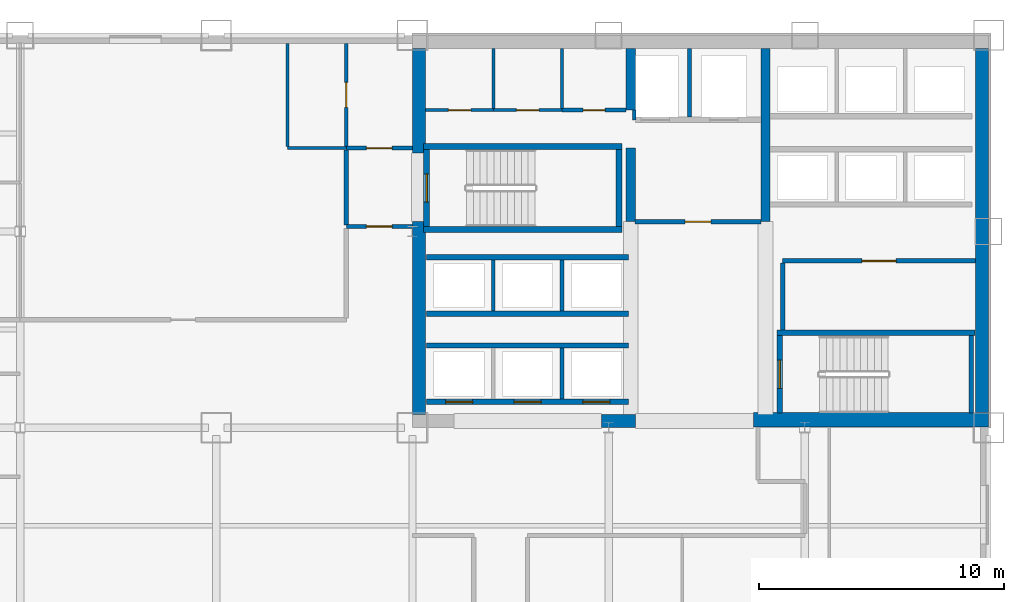
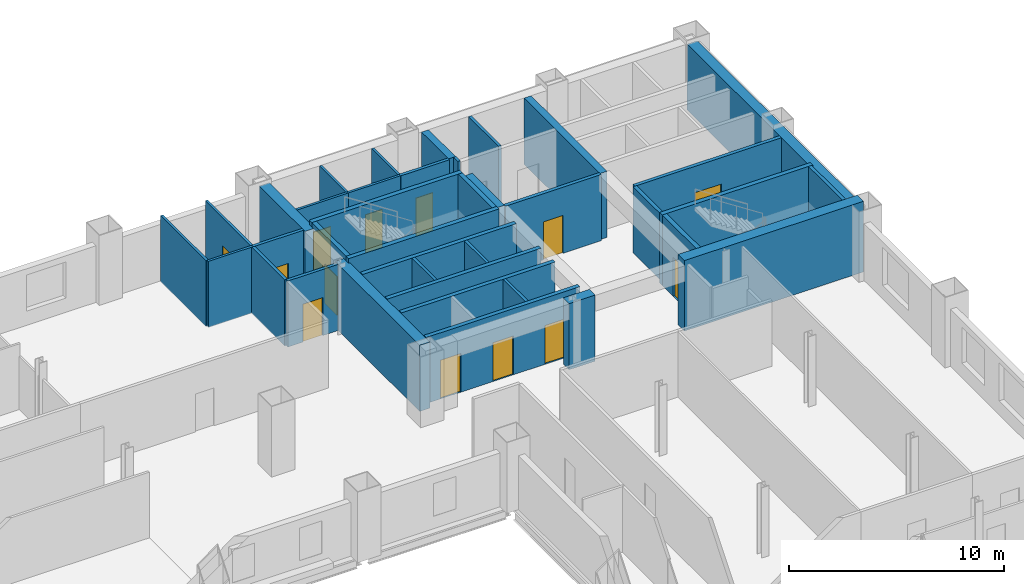
# One storey, part 6 of 9: 38 walls, 13 doors, 13 openings.
"""IFC4 building model written with IfcOpenShell, lengths in metres."""

from ifc_helpers import new_model, si_unit, direction, frame, frame_2d, origin, place, context, subcontext, project, spatial, rectangle, extrude, material, layer, layer_set, type_object, element, fill, save


model = new_model("IFC4")

# Units and contexts
model_context = context("Model", 3, precision=1e-05, world=origin(), true_north=direction((0.0, 1.0)))
body_context = subcontext(model_context, "Body", "Model", "MODEL_VIEW")
ifc_project = project(units=[si_unit("LENGTHUNIT", "METRE"), si_unit("AREAUNIT", "SQUARE_METRE"), si_unit("VOLUMEUNIT", "CUBIC_METRE"), si_unit("PLANEANGLEUNIT", "RADIAN"), si_unit("MASSUNIT", "GRAM", prefix="KILO")], contexts=[model_context])

# Site, building, storey
site_placement = place(None, origin())
site = spatial("IfcSite", under=ifc_project, at=site_placement, CompositionType="ELEMENT")
building_placement = place(site_placement, origin())
building = spatial("IfcBuilding", under=site, at=building_placement, Name="Qianrong Seaharbour Tower", CompositionType="ELEMENT")
storey_placement = place(building_placement, frame((0.0, 0.0, 72.199951171875)))
storey = spatial("IfcBuildingStorey", under=building, at=storey_placement, Name="L17", CompositionType="ELEMENT", Elevation=72.199951171875)

# Walls
ifc_material_1 = material(Name="Concrete C70/85", Category="concrete")
ifc_layer_1 = layer(ifc_material_1, 0.5400390625)
ifc_layer_set_1 = layer_set([ifc_layer_1], Name="Concrete C70/85")
wall_type_1 = type_object("IfcWallType", Name="WALL-CORE-540", PredefinedType="SHEAR", material=ifc_layer_set_1)
wall_1_placement = place(storey_placement, frame((63.72998046875, 36.320068359375, 0.0), z_axis=(0.0, 0.0, 1.0), x_axis=(0.0, 1.0, 0.0)))
element("IfcWall", 1, at=wall_1_placement, inside=storey, type_object=wall_type_1, Name="L17 East Core Shear Wall", PredefinedType="SHEAR", context=body_context, shape_type="SweptSolid", body=[
    extrude(rectangle(XDim=15.139892578125, YDim=0.5400390625, at=frame_2d((7.56982421875, 0.0))), origin(), (0.0, 0.0, 1.0), 3.75),
])
wall_2_placement = place(storey_placement, frame((40.77001953125, 36.5400390625, 0.0), z_axis=(0.0, 0.0, 1.0), x_axis=(0.0, 1.0, 0.0)))
element("IfcWall", 2, at=wall_2_placement, inside=storey, type_object=wall_type_1, Name="L17 West Core Shear Wall South", PredefinedType="SHEAR", context=body_context, shape_type="SweptSolid", body=[
    extrude(rectangle(XDim=7.85986328125, YDim=0.5400390625, at=frame_2d((3.929931640625, 0.0))), origin(), (0.0, 0.0, 1.0), 3.75),
])
wall_3_placement = place(storey_placement, frame((40.77001953125, 47.199951171875, 0.0), z_axis=(0.0, 0.0, 1.0), x_axis=(0.0, 1.0, 0.0)))
element("IfcWall", 3, at=wall_3_placement, inside=storey, type_object=wall_type_1, Name="L17 West Core Shear Wall North", PredefinedType="SHEAR", context=body_context, shape_type="SweptSolid", body=[
    extrude(rectangle(XDim=4.260009765625, YDim=0.5400390625, at=frame_2d((2.1298828125, 0.0))), origin(), (0.0, 0.0, 1.0), 3.75),
])
wall_4_placement = place(storey_placement, frame((48.199951171875, 36.27001953125, 0.0), z_axis=(0.0, 0.0, 1.0), x_axis=(1.0, 0.0, 0.0)))
element("IfcWall", 4, at=wall_4_placement, inside=storey, type_object=wall_type_1, Name="L17 South Core Shear Wall S2", PredefinedType="SHEAR", context=body_context, shape_type="SweptSolid", body=[
    extrude(rectangle(XDim=1.400146484375, YDim=0.5400390625, at=frame_2d((0.7001953125, 0.0))), origin(), (0.0, 0.0, 1.0), 3.75),
])
ifc_layer_2 = layer(ifc_material_1, 0.580078125)
ifc_layer_set_2 = layer_set([ifc_layer_2], Name="Concrete C70/85")
wall_type_2 = type_object("IfcWallType", Name="WALL-CORE-580", PredefinedType="SHEAR", material=ifc_layer_set_2)
wall_5_placement = place(storey_placement, frame((54.39990234375, 36.320068359375, 0.0), z_axis=(0.0, 0.0, 1.0), x_axis=(1.0, 0.0, 0.0)))
element("IfcWall", 5, at=wall_5_placement, inside=storey, type_object=wall_type_2, Name="L17 South Core Shear Wall S3", PredefinedType="SHEAR", context=body_context, shape_type="SweptSolid", body=[
    extrude(rectangle(XDim=9.60009765625, YDim=0.580078125, at=frame_2d((4.800048828125, 0.0))), origin(), (0.0, 0.0, 1.0), 4.0),
])
ifc_material_2 = material(Name="Concrete C60/75", Category="concrete")
ifc_layer_3 = layer(ifc_material_2, 0.3798828125)
ifc_layer_set_3 = layer_set([ifc_layer_3], Name="Concrete C60/75")
wall_type_3 = type_object("IfcWallType", Name="WALL-CORE-INT-380", PredefinedType="SHEAR", material=ifc_layer_set_3)
wall_6_placement = place(storey_placement, frame((49.39990234375, 44.39990234375, 0.0), z_axis=(0.0, 0.0, 1.0), x_axis=(0.0, 1.0, 0.0)))
element("IfcWall", 6, at=wall_6_placement, inside=storey, type_object=wall_type_3, Name="L17 Internal Core Shear Wall IW1N1", PredefinedType="SHEAR", context=body_context, shape_type="SweptSolid", body=[
    extrude(rectangle(XDim=3.0, YDim=0.3798828125, at=frame_2d((1.5, 0.0))), origin(), (0.0, 0.0, 1.0), 3.75),
])
wall_7_placement = place(storey_placement, frame((49.39990234375, 48.949951171875, 0.0), z_axis=(0.0, 0.0, 1.0), x_axis=(0.0, 1.0, 0.0)))
element("IfcWall", 7, at=wall_7_placement, inside=storey, type_object=wall_type_3, Name="L17 Internal Core Shear Wall IW1N2", PredefinedType="SHEAR", context=body_context, shape_type="SweptSolid", body=[
    extrude(rectangle(XDim=2.510009765625, YDim=0.3798828125, at=frame_2d((1.2548828125, 0.0))), origin(), (0.0, 0.0, 1.0), 3.75),
])
wall_8_placement = place(storey_placement, frame((54.89990234375, 44.39990234375, 0.0), z_axis=(0.0, 0.0, 1.0), x_axis=(0.0, 1.0, 0.0)))
element("IfcWall", 8, at=wall_8_placement, inside=storey, type_object=wall_type_3, Name="L17 Internal Core Shear Wall IW2N", PredefinedType="SHEAR", context=body_context, shape_type="SweptSolid", body=[
    extrude(rectangle(XDim=7.06005859375, YDim=0.3798828125, at=frame_2d((3.530029296875, 0.0))), origin(), (0.0, 0.0, 1.0), 3.75),
])

# Wall, opening, door
ifc_material_3 = material(Name="Fire-rated acoustic gypsum board partition")
ifc_layer_4 = layer(ifc_material_3, 0.1650390625)
ifc_layer_set_4 = layer_set([ifc_layer_4], Name="Fire-rated acoustic gypsum board partition")
wall_type_4 = type_object("IfcWallType", Name="WALL-CORR-PART-165", PredefinedType="PARTITIONING", material=ifc_layer_set_4)
wall_9_placement = place(storey_placement, frame((37.800048828125, 47.39990234375, 0.0), z_axis=(0.0, 0.0, 1.0), x_axis=(1.0, 0.0, 0.0)))
wall_9 = element("IfcWall", 9, at=wall_9_placement, inside=storey, type_object=wall_type_4, Name="L17 Interior Partition Wall 001", PredefinedType="PARTITIONING", context=body_context, shape_type="SweptSolid", body=[
    extrude(rectangle(XDim=2.699951171875, YDim=0.1650390625, at=frame_2d((1.35009765625, 0.0))), origin(), (0.0, 0.0, 1.0), 3.75),
])
opening_1_placement = place(wall_9_placement, frame((0.824951171875, 0.0, 0.0)))
opening_1 = element("IfcOpeningElement", 10, at=opening_1_placement, cuts=wall_9, Name="Opening DC-01", PredefinedType="OPENING", context=body_context, shape_type="SweptSolid", body=[
    extrude(rectangle(XDim=1.050048828125, YDim=2.14990234375, at=frame_2d((0.52490234375, 1.074951171875))), frame((0.0, 0.092529296875, 0.0), z_axis=(0.0, -1.0, 0.0), x_axis=(1.0, 0.0, 0.0)), (0.0, 0.0, 1.0), 0.18505859375),
])
ifc_material_4 = material(Name="Acoustic timber and galvanized steel fire door assembly", Category="steel")
door_type_1 = type_object("IfcDoorType", Name="DOOR-CORR-FD60-1050x2150", OperationType="NOTDEFINED", PredefinedType="DOOR", material=ifc_material_4)
door_1_placement = place(opening_1_placement, origin())
door_1 = element("IfcDoor", 11, at=door_1_placement, inside=storey, type_object=door_type_1, Name="L17 Smokeproof Stair Vestibule ST-1 Door", OperationType="SINGLE_SWING_LEFT", OverallHeight=2.14990234375, OverallWidth=1.050048828125, PredefinedType="DOOR", context=body_context, shape_type="SweptSolid", body=[
    extrude(rectangle(XDim=1.050048828125, YDim=2.14990234375, at=frame_2d((0.52490234375, 1.074951171875))), frame((0.0, 0.02490234375, 0.0), z_axis=(0.0, -1.0, 0.0), x_axis=(1.0, 0.0, 0.0)), (0.0, 0.0, 1.0), 0.050048828125),
])
fill(opening_1, door_1)

wall_10_placement = place(storey_placement, frame((40.5, 44.199951171875, 0.0), z_axis=(0.0, 0.0, 1.0), x_axis=(-1.0, 0.0, 0.0)))
wall_10 = element("IfcWall", 12, at=wall_10_placement, inside=storey, type_object=wall_type_4, Name="L17 Interior Partition Wall 002", PredefinedType="PARTITIONING", context=body_context, shape_type="SweptSolid", body=[
    extrude(rectangle(XDim=2.699951171875, YDim=0.1650390625, at=frame_2d((1.35009765625, 0.0))), origin(), (0.0, 0.0, 1.0), 3.75),
])
opening_2_placement = place(wall_10_placement, frame((0.824951171875, 0.0, 0.0)))
opening_2 = element("IfcOpeningElement", 13, at=opening_2_placement, cuts=wall_10, Name="Opening DC-01", PredefinedType="OPENING", context=body_context, shape_type="SweptSolid", body=[
    extrude(rectangle(XDim=1.050048828125, YDim=2.14990234375, at=frame_2d((0.52490234375, 1.074951171875))), frame((0.0, 0.092529296875, 0.0), z_axis=(0.0, -1.0, 0.0), x_axis=(1.0, 0.0, 0.0)), (0.0, 0.0, 1.0), 0.18505859375),
])
door_2_placement = place(opening_2_placement, origin())
door_2 = element("IfcDoor", 14, at=door_2_placement, inside=storey, type_object=door_type_1, Name="L17 Smokeproof Stair Vestibule ST-1 Door", OperationType="SINGLE_SWING_RIGHT", OverallHeight=2.14990234375, OverallWidth=1.050048828125, PredefinedType="DOOR", context=body_context, shape_type="SweptSolid", body=[
    extrude(rectangle(XDim=1.050048828125, YDim=2.14990234375, at=frame_2d((0.52490234375, 1.074951171875))), frame((0.0, 0.02490234375, 0.0), z_axis=(0.0, -1.0, 0.0), x_axis=(1.0, 0.0, 0.0)), (0.0, 0.0, 1.0), 0.050048828125),
])
fill(opening_2, door_2)

# Wall
wall_11_placement = place(storey_placement, frame((37.800048828125, 44.2744140625, 0.0), z_axis=(0.0, 0.0, 1.0), x_axis=(0.0, 1.0, 0.0)))
element("IfcWall", 15, at=wall_11_placement, inside=storey, type_object=wall_type_4, Name="L17 Interior Partition Wall 003", PredefinedType="PARTITIONING", context=body_context, shape_type="SweptSolid", body=[
    extrude(rectangle(XDim=3.051025390625, YDim=0.1650390625, at=frame_2d((1.525390625, 0.0))), origin(), (0.0, 0.0, 1.0), 3.75),
])

# Wall, opening, door
wall_12_placement = place(storey_placement, frame((46.60009765625, 48.949951171875, 0.0), z_axis=(0.0, 0.0, 1.0), x_axis=(1.0, 0.0, 0.0)))
wall_12 = element("IfcWall", 16, at=wall_12_placement, inside=storey, type_object=wall_type_4, Name="L17 Interior Partition Wall 009", PredefinedType="PARTITIONING", context=body_context, shape_type="SweptSolid", body=[
    extrude(rectangle(XDim=2.617919921875, YDim=0.1650390625, at=frame_2d((1.30908203125, 0.0))), origin(), (0.0, 0.0, 1.0), 3.75),
])
opening_3_placement = place(wall_12_placement, frame((0.85888671875, 0.0, 0.0)))
opening_3 = element("IfcOpeningElement", 17, at=opening_3_placement, cuts=wall_12, Name="Opening DS-01", PredefinedType="OPENING", context=body_context, shape_type="SweptSolid", body=[
    extrude(rectangle(XDim=0.89990234375, YDim=2.14990234375, at=frame_2d((0.449951171875, 1.074951171875))), frame((0.0, 0.092529296875, 0.0), z_axis=(0.0, -1.0, 0.0), x_axis=(1.0, 0.0, 0.0)), (0.0, 0.0, 1.0), 0.18505859375),
])
door_type_2 = type_object("IfcDoorType", Name="DOOR-STORE-900x2150", OperationType="NOTDEFINED", PredefinedType="DOOR", material=ifc_material_4)
door_3_placement = place(opening_3_placement, origin())
door_3 = element("IfcDoor", 18, at=door_3_placement, inside=storey, type_object=door_type_2, Name="L17 Cleaner Store Room Door", OperationType="SINGLE_SWING_LEFT", OverallHeight=2.14990234375, OverallWidth=0.89990234375, PredefinedType="DOOR", context=body_context, shape_type="SweptSolid", body=[
    extrude(rectangle(XDim=0.89990234375, YDim=2.14990234375, at=frame_2d((0.449951171875, 1.074951171875))), frame((0.0, 0.02490234375, 0.0), z_axis=(0.0, -1.0, 0.0), x_axis=(1.0, 0.0, 0.0)), (0.0, 0.0, 1.0), 0.050048828125),
])
fill(opening_3, door_3)

ifc_material_5 = material(Name="Double fire-rated gypsum board acoustic partition")
ifc_layer_5 = layer(ifc_material_5, 0.18994140625)
ifc_layer_set_5 = layer_set([ifc_layer_5], Name="Double fire-rated gypsum board acoustic partition")
wall_type_5 = type_object("IfcWallType", Name="WALL-FIRE-PART-190", PredefinedType="PARTITIONING", material=ifc_layer_set_5)
wall_13_placement = place(storey_placement, frame((54.718017578125, 44.39990234375, 0.0), z_axis=(0.0, 0.0, 1.0), x_axis=(-1.0, 0.0, 0.0)))
wall_13 = element("IfcWall", 19, at=wall_13_placement, inside=storey, type_object=wall_type_5, Name="L17 Interior Partition Wall 010", PredefinedType="PARTITIONING", context=body_context, shape_type="SweptSolid", body=[
    extrude(rectangle(XDim=5.135986328125, YDim=0.18994140625, at=frame_2d((2.56787109375, 0.0))), origin(), (0.0, 0.0, 1.0), 3.75),
])
opening_4_placement = place(wall_13_placement, frame((2.04296875, 0.0, 0.0)))
opening_4 = element("IfcOpeningElement", 20, at=opening_4_placement, cuts=wall_13, Name="Opening DC-01", PredefinedType="OPENING", context=body_context, shape_type="SweptSolid", body=[
    extrude(rectangle(XDim=1.050048828125, YDim=2.14990234375, at=frame_2d((0.52490234375, 1.074951171875))), frame((0.0, 0.10498046875, 0.0), z_axis=(0.0, -1.0, 0.0), x_axis=(1.0, 0.0, 0.0)), (0.0, 0.0, 1.0), 0.2099609375),
])
door_4_placement = place(opening_4_placement, origin())
door_4 = element("IfcDoor", 21, at=door_4_placement, inside=storey, type_object=door_type_1, Name="L17 Firefighting Lift Lobby Door", OperationType="SINGLE_SWING_RIGHT", OverallHeight=2.14990234375, OverallWidth=1.050048828125, PredefinedType="DOOR", context=body_context, shape_type="SweptSolid", body=[
    extrude(rectangle(XDim=1.050048828125, YDim=2.14990234375, at=frame_2d((0.52490234375, 1.074951171875))), frame((0.0, 0.02490234375, 0.0), z_axis=(0.0, -1.0, 0.0), x_axis=(1.0, 0.0, 0.0)), (0.0, 0.0, 1.0), 0.050048828125),
])
fill(opening_4, door_4)

# Wall
wall_14_placement = place(storey_placement, frame((55.60009765625, 42.712890625, 0.0), z_axis=(0.0, 0.0, 1.0), x_axis=(0.0, -1.0, 0.0)))
element("IfcWall", 22, at=wall_14_placement, inside=storey, type_object=wall_type_5, Name="L17 Interior Partition Wall 011", PredefinedType="PARTITIONING", context=body_context, shape_type="SweptSolid", body=[
    extrude(rectangle(XDim=2.73095703125, YDim=0.18994140625, at=frame_2d((1.365478515625, 0.0))), origin(), (0.0, 0.0, 1.0), 3.75),
])

# Wall, opening, door
wall_15_placement = place(storey_placement, frame((63.4599609375, 42.800048828125, 0.0), z_axis=(0.0, 0.0, 1.0), x_axis=(-1.0, 0.0, 0.0)))
wall_15 = element("IfcWall", 23, at=wall_15_placement, inside=storey, type_object=wall_type_5, Name="L17 Interior Partition Wall 012", PredefinedType="PARTITIONING", context=body_context, shape_type="SweptSolid", body=[
    extrude(rectangle(XDim=7.85986328125, YDim=0.18994140625, at=frame_2d((3.929931640625, 0.0))), origin(), (0.0, 0.0, 1.0), 3.75),
])
opening_5_placement = place(wall_15_placement, frame((3.22998046875, 0.0, 0.0)))
opening_5 = element("IfcOpeningElement", 24, at=opening_5_placement, cuts=wall_15, Name="Opening DP-01", PredefinedType="OPENING", context=body_context, shape_type="SweptSolid", body=[
    extrude(rectangle(XDim=1.39990234375, YDim=2.25, at=frame_2d((0.699951171875, 1.125))), frame((0.0, 0.10498046875, 0.0), z_axis=(0.0, -1.0, 0.0), x_axis=(1.0, 0.0, 0.0)), (0.0, 0.0, 1.0), 0.2099609375),
])
door_type_3 = type_object("IfcDoorType", Name="DOOR-PLANT-PAIR-1400x2250", OperationType="DOUBLE_DOOR_SINGLE_SWING", PredefinedType="DOOR", material=ifc_material_4)
door_5_placement = place(opening_5_placement, origin())
door_5 = element("IfcDoor", 25, at=door_5_placement, inside=storey, type_object=door_type_3, Name="L17 Core Telecom Hub Room Door", OperationType="DOUBLE_DOOR_SINGLE_SWING", OverallHeight=2.25, OverallWidth=1.39990234375, PredefinedType="DOOR", context=body_context, shape_type="SweptSolid", body=[
    extrude(rectangle(XDim=1.39990234375, YDim=2.25, at=frame_2d((0.699951171875, 1.125))), frame((0.0, 0.02490234375, 0.0), z_axis=(0.0, -1.0, 0.0), x_axis=(1.0, 0.0, 0.0)), (0.0, 0.0, 1.0), 0.050048828125),
])
fill(opening_5, door_5)

# Walls
ifc_material_6 = material(Name="Fire-rated gypsum board on steel studs", Category="steel")
ifc_layer_6 = layer(ifc_material_6, 0.14990234375)
ifc_layer_set_6 = layer_set([ifc_layer_6], Name="Fire-rated gypsum board on steel studs")
wall_type_6 = type_object("IfcWallType", Name="WALL-SHAFT-DIV-150", PredefinedType="PARTITIONING", material=ifc_layer_set_6)
wall_16_placement = place(storey_placement, frame((51.800048828125, 48.669921875, 0.0), z_axis=(0.0, 0.0, 1.0), x_axis=(0.0, 1.0, 0.0)))
element("IfcWall", 26, at=wall_16_placement, inside=storey, type_object=wall_type_6, Name="L17 Firefighting Lift Shaft Divider Wall", PredefinedType="PARTITIONING", context=body_context, shape_type="SweptSolid", body=[
    extrude(rectangle(XDim=2.7900390625, YDim=0.14990234375, at=frame_2d((1.39501953125, 0.0))), origin(), (0.0, 0.0, 1.0), 3.75),
])
wall_17_placement = place(storey_placement, frame((49.550048828125, 48.550048828125, 0.0), z_axis=(0.0, 0.0, 1.0), x_axis=(0.0, 1.0, 0.0)))
element("IfcWall", 27, at=wall_17_placement, inside=storey, type_object=wall_type_6, Name="L17 Firefighting Lift Shaft West Return Wall", PredefinedType="PARTITIONING", context=body_context, shape_type="SweptSolid", body=[
    extrude(rectangle(XDim=0.39990234375, YDim=0.14990234375, at=frame_2d((0.199951171875, 0.0))), origin(), (0.0, 0.0, 1.0), 3.75),
])
for number, where, z_axis, x_axis, name in (
    (28, (46.60009765625, 37.159912109375, 0.0), (0.0, 0.0, 1.0), (0.0, 1.0, 0.0), "L17 P1 Lift Hoistway Divider 3"),
    (29, (43.800048828125, 40.760009765625, 0.0), (0.0, 0.0, 1.0), (0.0, 1.0, 0.0), "L17 P2 Lift Hoistway Divider 2"),
    (30, (46.60009765625, 40.760009765625, 0.0), (0.0, 0.0, 1.0), (0.0, 1.0, 0.0), "L17 P2 Lift Hoistway Divider 3"),
):
    element("IfcWall", number, at=place(storey_placement, frame(where, z_axis=z_axis, x_axis=x_axis)), inside=storey, type_object=wall_type_6, Name=name, PredefinedType="PARTITIONING", context=body_context, shape_type="SweptSolid", body=[
        extrude(rectangle(XDim=2.080078125, YDim=0.14990234375, at=frame_2d((1.0400390625, 0.0))), origin(), (0.0, 0.0, 1.0), 3.75),
    ])

# Wall, openings, doors
ifc_layer_7 = layer(ifc_material_6, 0.219970703125)
ifc_layer_set_7 = layer_set([ifc_layer_7], Name="Fire-rated gypsum board on steel studs")
wall_type_7 = type_object("IfcWallType", Name="WALL-SHAFT-GYP220", PredefinedType="PARTITIONING", material=ifc_layer_set_7)
wall_18_placement = place(storey_placement, frame((49.320068359375, 37.050048828125, 0.0), z_axis=(0.0, 0.0, 1.0), x_axis=(-1.0, 0.0, 0.0)))
wall_18 = element("IfcWall", 31, at=wall_18_placement, inside=storey, type_object=wall_type_7, Name="L17 P1 Lift Hoistway Front Wall", PredefinedType="PARTITIONING", context=body_context, shape_type="SweptSolid", body=[
    extrude(rectangle(XDim=8.239990234375, YDim=0.219970703125, at=frame_2d((4.1201171875, 0.0))), origin(), (0.0, 0.0, 1.0), 3.75),
])
opening_6_placement = place(wall_18_placement, frame((6.3701171875, 0.0, 0.0)))
opening_6 = element("IfcOpeningElement", 32, at=opening_6_placement, cuts=wall_18, Name="Opening LD-02", PredefinedType="OPENING", context=body_context, shape_type="SweptSolid", body=[
    extrude(rectangle(XDim=1.10009765625, YDim=2.199951171875, at=frame_2d((0.550048828125, 1.10009765625))), frame((0.0, 0.1201171875, 0.0), z_axis=(0.0, -1.0, 0.0), x_axis=(1.0, 0.0, 0.0)), (0.0, 0.0, 1.0), 0.239990234375),
])
opening_7_placement = place(wall_18_placement, frame((3.570068359375, 0.0, 0.0)))
opening_7 = element("IfcOpeningElement", 33, at=opening_7_placement, cuts=wall_18, Name="Opening LD-02", PredefinedType="OPENING", context=body_context, shape_type="SweptSolid", body=[
    extrude(rectangle(XDim=1.10009765625, YDim=2.199951171875, at=frame_2d((0.550048828125, 1.10009765625))), frame((0.0, 0.1201171875, 0.0), z_axis=(0.0, -1.0, 0.0), x_axis=(1.0, 0.0, 0.0)), (0.0, 0.0, 1.0), 0.239990234375),
])
opening_8_placement = place(wall_18_placement, frame((0.77001953125, 0.0, 0.0)))
opening_8 = element("IfcOpeningElement", 34, at=opening_8_placement, cuts=wall_18, Name="Opening LD-02", PredefinedType="OPENING", context=body_context, shape_type="SweptSolid", body=[
    extrude(rectangle(XDim=1.10009765625, YDim=2.199951171875, at=frame_2d((0.550048828125, 1.10009765625))), frame((0.0, 0.1201171875, 0.0), z_axis=(0.0, -1.0, 0.0), x_axis=(1.0, 0.0, 0.0)), (0.0, 0.0, 1.0), 0.239990234375),
])
ifc_material_7 = material(Name="Stainless steel SUS316L bi-parting lift landing door", Category="steel")
door_type_4 = type_object("IfcDoorType", Name="DOOR-LIFT-PASS-1100x2200", OperationType="DOUBLE_DOOR_SLIDING", PredefinedType="DOOR", material=ifc_material_7)
door_6_placement = place(opening_6_placement, origin())
door_6 = element("IfcDoor", 35, at=door_6_placement, inside=storey, type_object=door_type_4, Name="L17 PL-1A Lift Landing Door", OperationType="DOUBLE_DOOR_SLIDING", OverallHeight=2.199951171875, OverallWidth=1.10009765625, PredefinedType="DOOR", context=body_context, shape_type="SweptSolid", body=[
    extrude(rectangle(XDim=1.10009765625, YDim=2.199951171875, at=frame_2d((0.550048828125, 1.10009765625))), frame((0.0, 0.02490234375, 0.0), z_axis=(0.0, -1.0, 0.0), x_axis=(1.0, 0.0, 0.0)), (0.0, 0.0, 1.0), 0.050048828125),
])
fill(opening_6, door_6)
door_7_placement = place(opening_7_placement, origin())
door_7 = element("IfcDoor", 36, at=door_7_placement, inside=storey, type_object=door_type_4, Name="L17 PL-1B Lift Landing Door", OperationType="DOUBLE_DOOR_SLIDING", OverallHeight=2.199951171875, OverallWidth=1.10009765625, PredefinedType="DOOR", context=body_context, shape_type="SweptSolid", body=[
    extrude(rectangle(XDim=1.10009765625, YDim=2.199951171875, at=frame_2d((0.550048828125, 1.10009765625))), frame((0.0, 0.02490234375, 0.0), z_axis=(0.0, -1.0, 0.0), x_axis=(1.0, 0.0, 0.0)), (0.0, 0.0, 1.0), 0.050048828125),
])
fill(opening_7, door_7)
door_8_placement = place(opening_8_placement, origin())
door_8 = element("IfcDoor", 37, at=door_8_placement, inside=storey, type_object=door_type_4, Name="L17 PL-1C Lift Landing Door", OperationType="DOUBLE_DOOR_SLIDING", OverallHeight=2.199951171875, OverallWidth=1.10009765625, PredefinedType="DOOR", context=body_context, shape_type="SweptSolid", body=[
    extrude(rectangle(XDim=1.10009765625, YDim=2.199951171875, at=frame_2d((0.550048828125, 1.10009765625))), frame((0.0, 0.02490234375, 0.0), z_axis=(0.0, -1.0, 0.0), x_axis=(1.0, 0.0, 0.0)), (0.0, 0.0, 1.0), 0.050048828125),
])
fill(opening_8, door_8)

# Walls
for number, where, z_axis, x_axis, name in (
    (38, (41.080078125, 39.35009765625, 0.0), (0.0, 0.0, 1.0), (1.0, 0.0, 0.0), "L17 P1 Lift Hoistway Back Wall"),
    (39, (49.320068359375, 40.64990234375, 0.0), (0.0, 0.0, 1.0), (-1.0, 0.0, 0.0), "L17 P2 Lift Hoistway Front Wall"),
    (40, (41.080078125, 42.949951171875, 0.0), (0.0, 0.0, 1.0), (1.0, 0.0, 0.0), "L17 P2 Lift Hoistway Back Wall"),
):
    element("IfcWall", number, at=place(storey_placement, frame(where, z_axis=z_axis, x_axis=x_axis)), inside=storey, type_object=wall_type_7, Name=name, PredefinedType="PARTITIONING", context=body_context, shape_type="SweptSolid", body=[
        extrude(rectangle(XDim=8.239990234375, YDim=0.219970703125, at=frame_2d((4.1201171875, 0.0))), origin(), (0.0, 0.0, 1.0), 3.75),
    ])
ifc_material_8 = material(Name="Concrete C50/60", Category="concrete")
ifc_layer_8 = layer(ifc_material_8, 0.239990234375)
ifc_layer_set_8 = layer_set([ifc_layer_8], Name="Concrete C50/60")
wall_type_8 = type_object("IfcWallType", Name="WALL-SHAFT-RC240", PredefinedType="SOLIDWALL", material=ifc_layer_set_8)
for number, where, z_axis, x_axis, name in (
    (41, (40.9599609375, 47.469970703125, 0.0), (0.0, 0.0, 1.0), (1.0, 0.0, 0.0), "L17 ST-1 Structural Stair Core Wall N"),
    (42, (49.0400390625, 44.080078125, 0.0), (0.0, 0.0, 1.0), (-1.0, 0.0, 0.0), "L17 ST-1 Structural Stair Core Wall S"),
):
    element("IfcWall", number, at=place(storey_placement, frame(where, z_axis=z_axis, x_axis=x_axis)), inside=storey, type_object=wall_type_8, Name=name, PredefinedType="SOLIDWALL", context=body_context, shape_type="SweptSolid", body=[
        extrude(rectangle(XDim=8.080078125, YDim=0.239990234375, at=frame_2d((4.0400390625, 0.0))), origin(), (0.0, 0.0, 1.0), 4.0),
    ])

# Wall, opening, door
wall_19_placement = place(storey_placement, frame((41.080078125, 47.35009765625, 0.0), z_axis=(0.0, 0.0, 1.0), x_axis=(0.0, -1.0, 0.0)))
wall_19 = element("IfcWall", 43, at=wall_19_placement, inside=storey, type_object=wall_type_8, Name="L17 ST-1 Structural Stair Core Wall W", PredefinedType="SOLIDWALL", context=body_context, shape_type="SweptSolid", body=[
    extrude(rectangle(XDim=3.150146484375, YDim=0.239990234375, at=frame_2d((1.5751953125, 0.0))), origin(), (0.0, 0.0, 1.0), 4.0),
])
opening_9_placement = place(wall_19_placement, frame((1.0, 0.0, 0.0)))
opening_9 = element("IfcOpeningElement", 44, at=opening_9_placement, cuts=wall_19, Name="Opening SD-01", PredefinedType="OPENING", context=body_context, shape_type="SweptSolid", body=[
    extrude(rectangle(XDim=1.14990234375, YDim=2.199951171875, at=frame_2d((0.574951171875, 1.10009765625))), frame((0.0, 0.1298828125, 0.0), z_axis=(0.0, -1.0, 0.0), x_axis=(1.0, 0.0, 0.0)), (0.0, 0.0, 1.0), 0.260009765625),
])
door_type_5 = type_object("IfcDoorType", Name="DOOR-STAIR-FD60-1150x2200", OperationType="NOTDEFINED", PredefinedType="DOOR", material=ifc_material_4)
door_9_placement = place(opening_9_placement, origin())
door_9 = element("IfcDoor", 45, at=door_9_placement, inside=storey, type_object=door_type_5, Name="L17 ST-1 Protected Stair Door", OperationType="SINGLE_SWING_RIGHT", OverallHeight=2.199951171875, OverallWidth=1.14990234375, PredefinedType="DOOR", context=body_context, shape_type="SweptSolid", body=[
    extrude(rectangle(XDim=1.14990234375, YDim=2.199951171875, at=frame_2d((0.574951171875, 1.10009765625))), frame((0.0, 0.02490234375, 0.0), z_axis=(0.0, -1.0, 0.0), x_axis=(1.0, 0.0, 0.0)), (0.0, 0.0, 1.0), 0.050048828125),
])
fill(opening_9, door_9)

# Walls
wall_20_placement = place(storey_placement, frame((48.919921875, 44.199951171875, 0.0), z_axis=(0.0, 0.0, 1.0), x_axis=(0.0, 1.0, 0.0)))
element("IfcWall", 46, at=wall_20_placement, inside=storey, type_object=wall_type_8, Name="L17 ST-1 Structural Stair Core Wall E", PredefinedType="SOLIDWALL", context=body_context, shape_type="SweptSolid", body=[
    extrude(rectangle(XDim=3.150146484375, YDim=0.239990234375, at=frame_2d((1.5751953125, 0.0))), origin(), (0.0, 0.0, 1.0), 4.0),
])
wall_21_placement = place(storey_placement, frame((55.360107421875, 39.8701171875, 0.0), z_axis=(0.0, 0.0, 1.0), x_axis=(1.0, 0.0, 0.0)))
element("IfcWall", 47, at=wall_21_placement, inside=storey, type_object=wall_type_8, Name="L17 ST-2 Structural Stair Core Wall N", PredefinedType="SOLIDWALL", context=body_context, shape_type="SweptSolid", body=[
    extrude(rectangle(XDim=8.079833984375, YDim=0.239990234375, at=frame_2d((4.0400390625, 0.0))), origin(), (0.0, 0.0, 1.0), 4.0),
])

# Wall, opening, door
wall_22_placement = place(storey_placement, frame((55.47998046875, 39.75, 0.0), z_axis=(0.0, 0.0, 1.0), x_axis=(0.0, -1.0, 0.0)))
wall_22 = element("IfcWall", 48, at=wall_22_placement, inside=storey, type_object=wall_type_8, Name="L17 ST-2 Structural Stair Core Wall W", PredefinedType="SOLIDWALL", context=body_context, shape_type="SweptSolid", body=[
    extrude(rectangle(XDim=3.14990234375, YDim=0.239990234375, at=frame_2d((1.574951171875, 0.0))), origin(), (0.0, 0.0, 1.0), 4.0),
])
opening_10_placement = place(wall_22_placement, frame((1.0, 0.0, 0.0)))
opening_10 = element("IfcOpeningElement", 49, at=opening_10_placement, cuts=wall_22, Name="Opening SD-01", PredefinedType="OPENING", context=body_context, shape_type="SweptSolid", body=[
    extrude(rectangle(XDim=1.14990234375, YDim=2.199951171875, at=frame_2d((0.574951171875, 1.10009765625))), frame((0.0, 0.1298828125, 0.0), z_axis=(0.0, -1.0, 0.0), x_axis=(1.0, 0.0, 0.0)), (0.0, 0.0, 1.0), 0.260009765625),
])
door_10_placement = place(opening_10_placement, origin())
door_10 = element("IfcDoor", 50, at=door_10_placement, inside=storey, type_object=door_type_5, Name="L17 ST-2 Protected Stair Door", OperationType="SINGLE_SWING_RIGHT", OverallHeight=2.199951171875, OverallWidth=1.14990234375, PredefinedType="DOOR", context=body_context, shape_type="SweptSolid", body=[
    extrude(rectangle(XDim=1.14990234375, YDim=2.199951171875, at=frame_2d((0.574951171875, 1.10009765625))), frame((0.0, 0.02490234375, 0.0), z_axis=(0.0, -1.0, 0.0), x_axis=(1.0, 0.0, 0.0)), (0.0, 0.0, 1.0), 0.050048828125),
])
fill(opening_10, door_10)

# Wall
wall_23_placement = place(storey_placement, frame((63.2900390625, 36.60009765625, 0.0), z_axis=(0.0, 0.0, 1.0), x_axis=(0.0, 1.0, 0.0)))
element("IfcWall", 51, at=wall_23_placement, inside=storey, type_object=wall_type_8, Name="L17 ST-2 Structural Stair Core Wall E", PredefinedType="SOLIDWALL", context=body_context, shape_type="SweptSolid", body=[
    extrude(rectangle(XDim=3.14990234375, YDim=0.179931640625, at=frame_2d((1.574951171875, 0.0))), origin(), (0.0, 0.0, 1.0), 4.0),
])

# Wall, opening, door
ifc_material_9 = material(Name="Water-resistant cement board sanitary partition")
ifc_layer_9 = layer(ifc_material_9, 0.1298828125)
ifc_layer_set_9 = layer_set([ifc_layer_9], Name="Water-resistant cement board sanitary partition")
wall_type_9 = type_object("IfcWallType", Name="WALL-WET-PART-130", PredefinedType="PARTITIONING", material=ifc_layer_set_9)
wall_24_placement = place(storey_placement, frame((37.800048828125, 47.474609375, 0.0), z_axis=(0.0, 0.0, 1.0), x_axis=(0.0, 1.0, 0.0)))
wall_24 = element("IfcWall", 52, at=wall_24_placement, inside=storey, type_object=wall_type_9, Name="L17 Interior Partition Wall 004", PredefinedType="PARTITIONING", context=body_context, shape_type="SweptSolid", body=[
    extrude(rectangle(XDim=4.193359375, YDim=0.1298828125, at=frame_2d((2.0966796875, 0.0))), origin(), (0.0, 0.0, 1.0), 3.75),
])
opening_11_placement = place(wall_24_placement, frame((1.5869140625, 0.0, 0.0)))
opening_11 = element("IfcOpeningElement", 53, at=opening_11_placement, cuts=wall_24, Name="Opening DAW-01", PredefinedType="OPENING", context=body_context, shape_type="SweptSolid", body=[
    extrude(rectangle(XDim=1.02001953125, YDim=2.14990234375, at=frame_2d((0.510009765625, 1.074951171875))), frame((0.0, 0.074951171875, 0.0), z_axis=(0.0, -1.0, 0.0), x_axis=(1.0, 0.0, 0.0)), (0.0, 0.0, 1.0), 0.14990234375),
])
door_type_6 = type_object("IfcDoorType", Name="DOOR-AWC-SLIDE-1020x2150", OperationType="SLIDING_TO_LEFT", PredefinedType="DOOR", material=ifc_material_4)
door_11_placement = place(opening_11_placement, origin())
door_11 = element("IfcDoor", 54, at=door_11_placement, inside=storey, type_object=door_type_6, Name="L17 Accessible Restroom WC Door", OperationType="SLIDING_TO_LEFT", OverallHeight=2.14990234375, OverallWidth=1.02001953125, PredefinedType="DOOR", context=body_context, shape_type="SweptSolid", body=[
    extrude(rectangle(XDim=1.02001953125, YDim=2.14990234375, at=frame_2d((0.510009765625, 1.074951171875))), frame((0.0, 0.02490234375, 0.0), z_axis=(0.0, -1.0, 0.0), x_axis=(1.0, 0.0, 0.0)), (0.0, 0.0, 1.0), 0.050048828125),
])
fill(opening_11, door_11)

# Walls
wall_25_placement = place(storey_placement, frame((37.800048828125, 47.39990234375, 0.0), z_axis=(0.0, 0.0, 1.0), x_axis=(-1.0, 0.0, 0.0)))
element("IfcWall", 55, at=wall_25_placement, inside=storey, type_object=wall_type_9, Name="L17 Interior Partition Wall 005", PredefinedType="PARTITIONING", context=body_context, shape_type="SweptSolid", body=[
    extrude(rectangle(XDim=2.400146484375, YDim=0.1298828125, at=frame_2d((1.2001953125, 0.0))), origin(), (0.0, 0.0, 1.0), 3.75),
])
wall_26_placement = place(storey_placement, frame((35.39990234375, 47.45703125, 0.0), z_axis=(0.0, 0.0, 1.0), x_axis=(0.0, 1.0, 0.0)))
element("IfcWall", 56, at=wall_26_placement, inside=storey, type_object=wall_type_9, Name="L17 Interior Partition Wall 006", PredefinedType="PARTITIONING", context=body_context, shape_type="SweptSolid", body=[
    extrude(rectangle(XDim=4.2109375, YDim=0.1298828125, at=frame_2d((2.10546875, 0.0))), origin(), (0.0, 0.0, 1.0), 3.75),
])

# Wall, opening, door
wall_27_placement = place(storey_placement, frame((41.0400390625, 48.949951171875, 0.0), z_axis=(0.0, 0.0, 1.0), x_axis=(1.0, 0.0, 0.0)))
wall_27 = element("IfcWall", 57, at=wall_27_placement, inside=storey, type_object=wall_type_9, Name="L17 Interior Partition Wall 007", PredefinedType="PARTITIONING", context=body_context, shape_type="SweptSolid", body=[
    extrude(rectangle(XDim=2.760009765625, YDim=0.1298828125, at=frame_2d((1.3798828125, 0.0))), origin(), (0.0, 0.0, 1.0), 3.75),
])
opening_12_placement = place(wall_27_placement, frame((0.919921875, 0.0, 0.0)))
opening_12 = element("IfcOpeningElement", 58, at=opening_12_placement, cuts=wall_27, Name="Opening DW-01", PredefinedType="OPENING", context=body_context, shape_type="SweptSolid", body=[
    extrude(rectangle(XDim=0.919921875, YDim=2.14990234375, at=frame_2d((0.4599609375, 1.074951171875))), frame((0.0, 0.074951171875, 0.0), z_axis=(0.0, -1.0, 0.0), x_axis=(1.0, 0.0, 0.0)), (0.0, 0.0, 1.0), 0.14990234375),
])
door_type_7 = type_object("IfcDoorType", Name="DOOR-WC-920x2150", OperationType="NOTDEFINED", PredefinedType="DOOR", material=ifc_material_4)
door_12_placement = place(opening_12_placement, origin())
door_12 = element("IfcDoor", 59, at=door_12_placement, inside=storey, type_object=door_type_7, Name="L17 Male Restroom WC Door", OperationType="SINGLE_SWING_LEFT", OverallHeight=2.14990234375, OverallWidth=0.919921875, PredefinedType="DOOR", context=body_context, shape_type="SweptSolid", body=[
    extrude(rectangle(XDim=0.919921875, YDim=2.14990234375, at=frame_2d((0.4599609375, 1.074951171875))), frame((0.0, 0.02490234375, 0.0), z_axis=(0.0, -1.0, 0.0), x_axis=(1.0, 0.0, 0.0)), (0.0, 0.0, 1.0), 0.050048828125),
])
fill(opening_12, door_12)

wall_28_placement = place(storey_placement, frame((43.800048828125, 48.949951171875, 0.0), z_axis=(0.0, 0.0, 1.0), x_axis=(1.0, 0.0, 0.0)))
wall_28 = element("IfcWall", 60, at=wall_28_placement, inside=storey, type_object=wall_type_9, Name="L17 Interior Partition Wall 008", PredefinedType="PARTITIONING", context=body_context, shape_type="SweptSolid", body=[
    extrude(rectangle(XDim=2.800048828125, YDim=0.1298828125, at=frame_2d((1.39990234375, 0.0))), origin(), (0.0, 0.0, 1.0), 3.75),
])
opening_13_placement = place(wall_28_placement, frame((0.93994140625, 0.0, 0.0)))
opening_13 = element("IfcOpeningElement", 61, at=opening_13_placement, cuts=wall_28, Name="Opening DW-01", PredefinedType="OPENING", context=body_context, shape_type="SweptSolid", body=[
    extrude(rectangle(XDim=0.919921875, YDim=2.14990234375, at=frame_2d((0.4599609375, 1.074951171875))), frame((0.0, 0.074951171875, 0.0), z_axis=(0.0, -1.0, 0.0), x_axis=(1.0, 0.0, 0.0)), (0.0, 0.0, 1.0), 0.14990234375),
])
door_13_placement = place(opening_13_placement, origin())
door_13 = element("IfcDoor", 62, at=door_13_placement, inside=storey, type_object=door_type_7, Name="L17 Female Restroom WC Door", OperationType="SINGLE_SWING_RIGHT", OverallHeight=2.14990234375, OverallWidth=0.919921875, PredefinedType="DOOR", context=body_context, shape_type="SweptSolid", body=[
    extrude(rectangle(XDim=0.919921875, YDim=2.14990234375, at=frame_2d((0.4599609375, 1.074951171875))), frame((0.0, 0.02490234375, 0.0), z_axis=(0.0, -1.0, 0.0), x_axis=(1.0, 0.0, 0.0)), (0.0, 0.0, 1.0), 0.050048828125),
])
fill(opening_13, door_13)

# Walls
wall_29_placement = place(storey_placement, frame((43.800048828125, 51.4599609375, 0.0), z_axis=(0.0, 0.0, 1.0), x_axis=(0.0, -1.0, 0.0)))
element("IfcWall", 63, at=wall_29_placement, inside=storey, type_object=wall_type_9, Name="L17 Interior Partition Wall 013", PredefinedType="PARTITIONING", context=body_context, shape_type="SweptSolid", body=[
    extrude(rectangle(XDim=2.452880859375, YDim=0.1298828125, at=frame_2d((1.2265625, 0.0))), origin(), (0.0, 0.0, 1.0), 3.75),
])
wall_30_placement = place(storey_placement, frame((46.60009765625, 51.4599609375, 0.0), z_axis=(0.0, 0.0, 1.0), x_axis=(0.0, -1.0, 0.0)))
element("IfcWall", 64, at=wall_30_placement, inside=storey, type_object=wall_type_9, Name="L17 Interior Partition Wall 014", PredefinedType="PARTITIONING", context=body_context, shape_type="SweptSolid", body=[
    extrude(rectangle(XDim=2.435546875, YDim=0.1298828125, at=frame_2d((1.2177734375, 0.0))), origin(), (0.0, 0.0, 1.0), 3.75),
])

save(model, "model.ifc")
